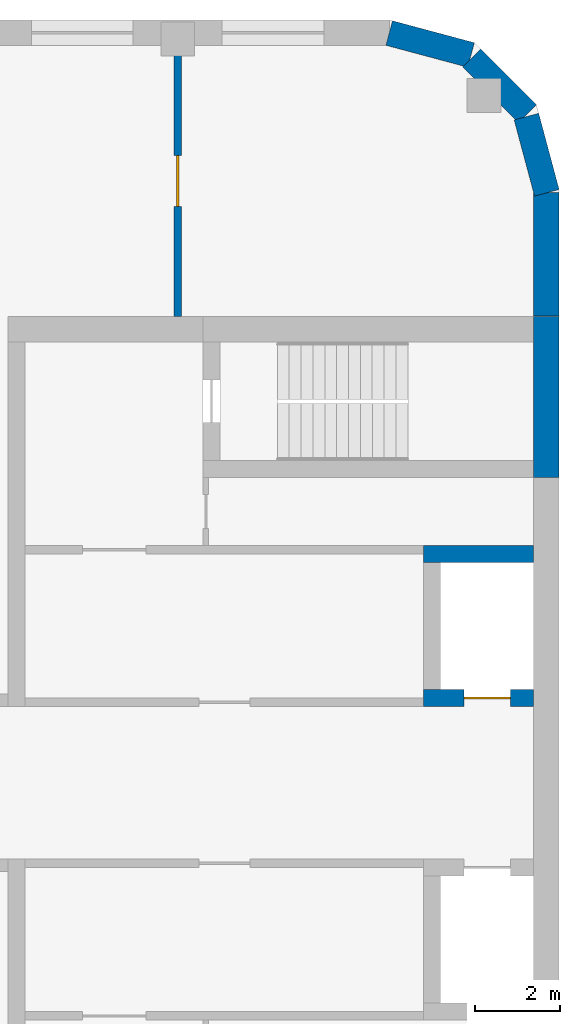
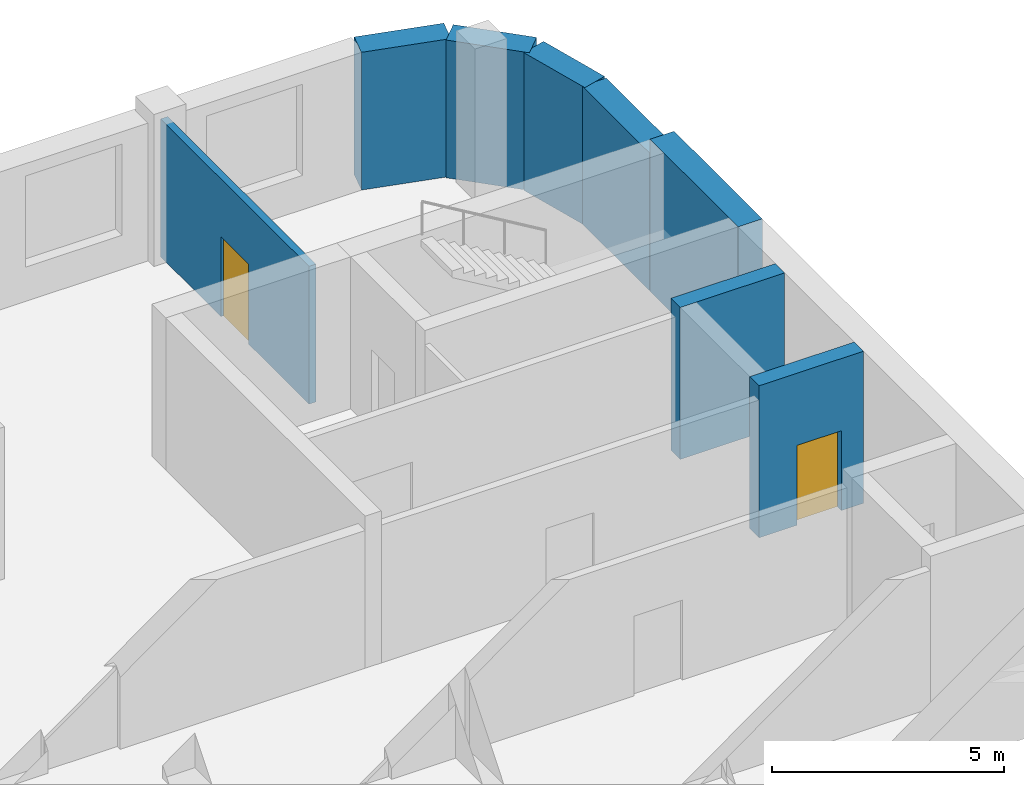
# One storey, part 10 of 16: 8 walls, 2 doors, 2 openings.
"""IFC4 building model written with IfcOpenShell, lengths in metres."""

from ifc_helpers import new_model, si_unit, direction, frame, frame_2d, origin, place, context, subcontext, project, spatial, rectangle, extrude, material, layer, layer_set, type_object, element, fill, save


model = new_model("IFC4")

# Units and contexts
model_context = context("Model", 3, precision=1e-05, world=origin(), true_north=direction((0.0, 1.0)))
body_context = subcontext(model_context, "Body", "Model", "MODEL_VIEW")
ifc_project = project(units=[si_unit("LENGTHUNIT", "METRE"), si_unit("AREAUNIT", "SQUARE_METRE"), si_unit("VOLUMEUNIT", "CUBIC_METRE"), si_unit("PLANEANGLEUNIT", "RADIAN"), si_unit("MASSUNIT", "GRAM", prefix="KILO")], contexts=[model_context])

# Site, building, storey
site_placement = place(None, origin())
site = spatial("IfcSite", under=ifc_project, at=site_placement, CompositionType="ELEMENT")
building_placement = place(site_placement, origin())
building = spatial("IfcBuilding", under=site, at=building_placement, Name="Skarvind Civic Tower", CompositionType="ELEMENT")
storey_placement = place(building_placement, frame((0.0, 0.0, 43.5)))
storey = spatial("IfcBuildingStorey", under=building, at=storey_placement, Name="L09", CompositionType="ELEMENT", Elevation=43.5)

# Wall, opening, door
ifc_material_1 = material(Name="Acoustic gypsum board on steel studs", Category="steel")
ifc_layer_1 = layer(ifc_material_1, 0.175048828125)
ifc_layer_set_1 = layer_set([ifc_layer_1], Name="ACOUSTIC MEETING-ROOM PARTITION 175")
wall_type_1 = type_object("IfcWallType", Name="ACOUSTIC MEETING-ROOM PARTITION 175", PredefinedType="PARTITIONING", material=ifc_layer_set_1)
wall_1_placement = place(storey_placement, frame((158.0, 139.0, 0.0), z_axis=(0.0, 0.0, 1.0), x_axis=(0.0, 1.0, 0.0)))
wall_1 = element("IfcWall", 1, at=wall_1_placement, inside=storey, type_object=wall_type_1, Name="Partition 09.017", PredefinedType="PARTITIONING", context=body_context, shape_type="SweptSolid", body=[
    extrude(rectangle(XDim=6.39990234375, YDim=0.175048828125, at=frame_2d((3.199951171875, 0.0))), origin(), (0.0, 0.0, 1.0), 3.625),
])
opening_1_placement = place(wall_1_placement, frame((2.60009765625, 0.0, 0.0)))
opening_1 = element("IfcOpeningElement", 2, at=opening_1_placement, cuts=wall_1, Name="Opening L09-D104", PredefinedType="OPENING", context=body_context, shape_type="SweptSolid", body=[
    extrude(rectangle(XDim=1.199951171875, YDim=2.10009765625, at=frame_2d((0.60009765625, 1.050048828125))), frame((0.0, 0.097412109375, 0.0), z_axis=(0.0, -1.0, 0.0), x_axis=(1.0, 0.0, 0.0)), (0.0, 0.0, 1.0), 0.195068359375),
])
ifc_material_2 = material(Name="Timber door leaf", Category="wood")
door_type_1 = type_object("IfcDoorType", Name="DOOR 1200X2100 DOUBLE TIMBER", OperationType="NOTDEFINED", PredefinedType="DOOR", material=ifc_material_2)
door_1_placement = place(opening_1_placement, origin())
door_1 = element("IfcDoor", 3, at=door_1_placement, inside=storey, type_object=door_type_1, Name="Door L09-D104", OperationType="DOUBLE_DOOR_SINGLE_SWING", OverallHeight=2.10009765625, OverallWidth=1.199951171875, PredefinedType="DOOR", context=body_context, shape_type="SweptSolid", body=[
    extrude(rectangle(XDim=1.199951171875, YDim=2.10009765625, at=frame_2d((0.60009765625, 1.050048828125))), frame((0.0, 0.02490234375, 0.0), z_axis=(0.0, -1.0, 0.0), x_axis=(1.0, 0.0, 0.0)), (0.0, 0.0, 1.0), 0.050048828125),
])
fill(opening_1, door_1)

ifc_material_3 = material(Name="Concrete C80", Category="concrete")
ifc_layer_2 = layer(ifc_material_3, 0.39990234375)
ifc_layer_set_2 = layer_set([ifc_layer_2], Name="Core wall 400 C80")
wall_type_2 = type_object("IfcWallType", Name="Core wall 400 C80", PredefinedType="SHEAR", material=ifc_layer_set_2)
wall_2_placement = place(storey_placement, frame((166.39990234375, 130.0, 0.0), z_axis=(0.0, 0.0, 1.0), x_axis=(-1.0, 0.0, 0.0)))
wall_2 = element("IfcWall", 4, at=wall_2_placement, inside=storey, type_object=wall_type_2, Name="Core wall CB south lift row front L09", PredefinedType="SHEAR", context=body_context, shape_type="SweptSolid", body=[
    extrude(rectangle(XDim=2.599853515625, YDim=0.39990234375, at=frame_2d((1.2998046875, 0.0))), origin(), (0.0, 0.0, 1.0), 4.0),
])
opening_2_placement = place(wall_2_placement, frame((0.550048828125, 0.0, 0.0)))
opening_2 = element("IfcOpeningElement", 5, at=opening_2_placement, cuts=wall_2, Name="Opening LD11402", PredefinedType="OPENING", context=body_context, shape_type="SweptSolid", body=[
    extrude(rectangle(XDim=1.10009765625, YDim=2.10009765625, at=frame_2d((0.550048828125, 1.050048828125))), frame((0.0, 0.2099609375, 0.0), z_axis=(0.0, -1.0, 0.0), x_axis=(1.0, 0.0, 0.0)), (0.0, 0.0, 1.0), 0.419921875),
])
ifc_material_4 = material(Name="Stainless steel landing door", Category="steel")
door_type_2 = type_object("IfcDoorType", Name="Lift landing door 1100", OperationType="DOUBLE_DOOR_SLIDING", PredefinedType="DOOR", material=ifc_material_4)
door_2_placement = place(opening_2_placement, origin())
door_2 = element("IfcDoor", 6, at=door_2_placement, inside=storey, type_object=door_type_2, Name="Lift landing door", OperationType="DOUBLE_DOOR_SLIDING", OverallHeight=2.10009765625, OverallWidth=1.10009765625, PredefinedType="DOOR", context=body_context, shape_type="SweptSolid", body=[
    extrude(rectangle(XDim=1.10009765625, YDim=2.10009765625, at=frame_2d((0.550048828125, 1.050048828125))), frame((0.0, 0.02490234375, 0.0), z_axis=(0.0, -1.0, 0.0), x_axis=(1.0, 0.0, 0.0)), (0.0, 0.0, 1.0), 0.050048828125),
])
fill(opening_2, door_2)

# Walls
wall_3_placement = place(storey_placement, frame((166.39990234375, 133.39990234375, 0.0), z_axis=(0.0, 0.0, 1.0), x_axis=(-1.0, 0.0, 0.0)))
element("IfcWall", 7, at=wall_3_placement, inside=storey, type_object=wall_type_2, Name="Core wall CB south lift row back L09", PredefinedType="SHEAR", context=body_context, shape_type="SweptSolid", body=[
    extrude(rectangle(XDim=2.599853515625, YDim=0.39990234375, at=frame_2d((1.2998046875, 0.0))), origin(), (0.0, 0.0, 1.0), 4.0),
])
ifc_layer_3 = layer(ifc_material_3, 0.60009765625)
ifc_layer_set_3 = layer_set([ifc_layer_3], Name="Core wall 600 C80")
wall_type_3 = type_object("IfcWallType", Name="Core wall 600 C80", PredefinedType="SHEAR", material=ifc_layer_set_3)
wall_4_placement = place(storey_placement, frame((166.699951171875, 139.0, 0.0), z_axis=(0.0, 0.0, 1.0), x_axis=(0.0, -1.0, 0.0)))
element("IfcWall", 8, at=wall_4_placement, inside=storey, type_object=wall_type_3, Name="Core wall CB tip at the south stair L09", PredefinedType="SHEAR", context=body_context, shape_type="SweptSolid", body=[
    extrude(rectangle(XDim=3.800048828125, YDim=0.60009765625, at=frame_2d((1.89990234375, 0.0))), origin(), (0.0, 0.0, 1.0), 4.0),
])
ifc_material_5 = material(Name="Limestone masonry cladding on insulated backing", Category="masonry")
ifc_layer_4 = layer(ifc_material_5, 0.60009765625)
ifc_layer_set_4 = layer_set([ifc_layer_4], Name="WX1 STONE FACADE WALL 600")
wall_type_4 = type_object("IfcWallType", Name="WX1 STONE FACADE WALL 600", PredefinedType="SOLIDWALL", material=ifc_layer_set_4)
wall_5_placement = place(storey_placement, frame((166.699951171875, 141.929931640625, 0.0), z_axis=(0.0, 0.0, 1.0), x_axis=(0.0, -1.0, 0.0)))
element("IfcWall", 9, at=wall_5_placement, inside=storey, type_object=wall_type_4, Name="STONE FACADE WALL", PredefinedType="SOLIDWALL", context=body_context, shape_type="SweptSolid", body=[
    extrude(rectangle(XDim=2.909912109375, YDim=0.60009765625, at=frame_2d((1.455078125, 0.0))), origin(), (0.0, 0.0, 1.0), 3.625),
])
for number, where, z_axis, x_axis, name in (
    (10, (166.228759765625, 143.719482421875, 0.0), (0.0, 0.0, 1.0), (0.258773254036, -0.965938094805, 0.0), "STONE FACADE WALL"),
    (11, (164.936279296875, 145.103515625, 0.0), (0.0, 0.0, 1.0), (0.707106781187, -0.707106781187, 0.0), "STONE FACADE WALL"),
):
    element("IfcWall", number, at=place(storey_placement, frame(where, z_axis=z_axis, x_axis=x_axis)), inside=storey, type_object=wall_type_4, Name=name, PredefinedType="SOLIDWALL", context=body_context, shape_type="SweptSolid", body=[
        extrude(rectangle(XDim=1.860595703125, YDim=0.60009765625, at=frame_2d((0.93017578125, 0.0))), origin(), (0.0, 0.0, 1.0), 3.625),
    ])
wall_6_placement = place(storey_placement, frame((162.989990234375, 145.692138671875, 0.0), z_axis=(0.0, 0.0, 1.0), x_axis=(0.965920269068, -0.258839784042, 0.0)))
element("IfcWall", 12, at=wall_6_placement, inside=storey, type_object=wall_type_4, Name="STONE FACADE WALL", PredefinedType="SOLIDWALL", context=body_context, shape_type="SweptSolid", body=[
    extrude(rectangle(XDim=2.00048828125, YDim=0.60009765625, at=frame_2d((1.000244140625, 0.0))), origin(), (0.0, 0.0, 1.0), 3.625),
])

save(model, "model.ifc")
